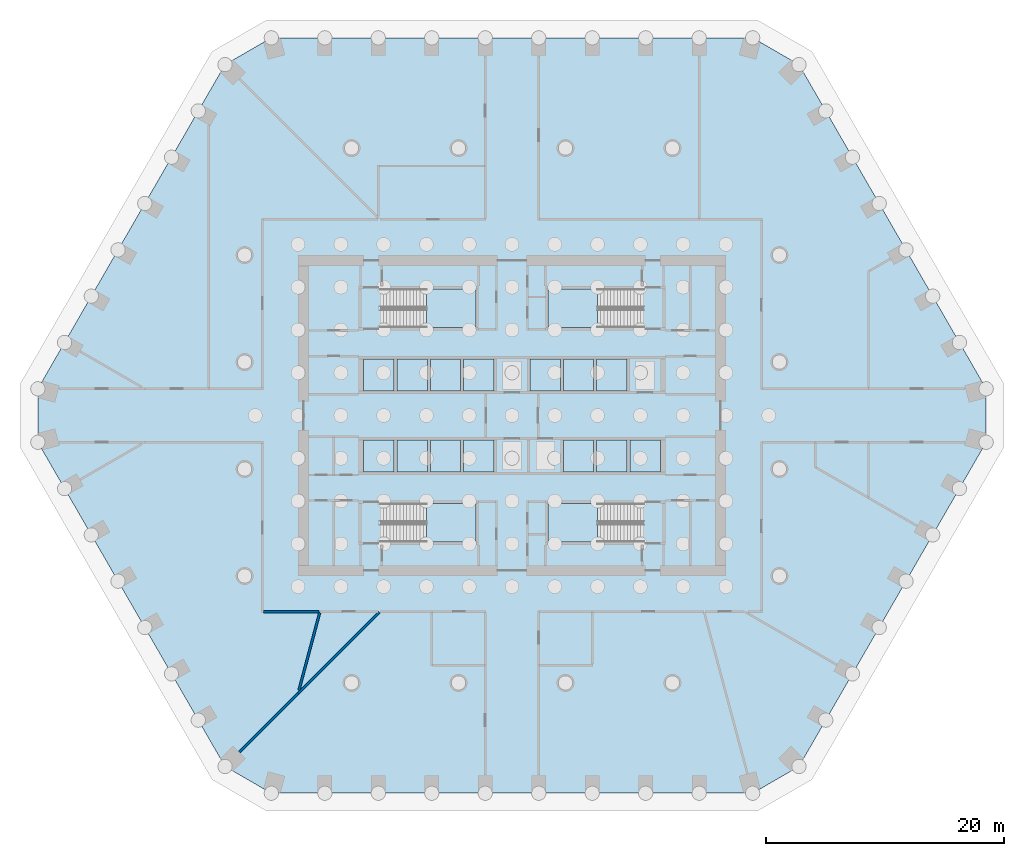
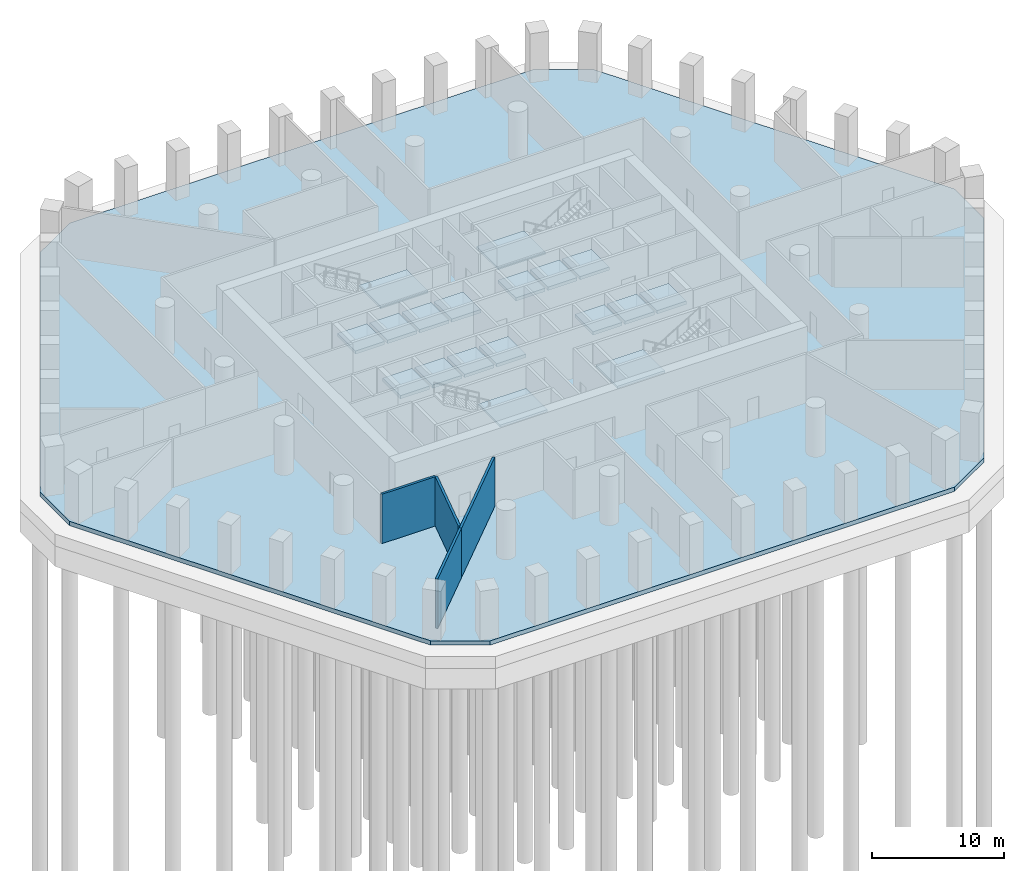
# One storey, part 2 of 9: 19 slabs, 4 walls, 4 elements without a shape of their own.
"""IFC4 building model written with IfcOpenShell, lengths in metres."""

import ifcopenshell
import ifcopenshell.guid

model = None  # the IFC model being written
_history = None  # IfcOwnerHistory: only IFC2X3 demands one
_inside = {}  # id of a spatial element -> (the spatial element, [elements in it])
_under = {}  # id of a project, library or spatial element -> (it, [spatial elements below it])
_declared = {}  # id of a project -> (the project, [libraries it declares])
_typed = {}  # id of a type object -> (the type object, [elements of that type])
_made_of = {}  # id of a material, layer set ... -> (it, [elements and type objects made of it])


def new_model(schema):
    """Start an empty IFC model of exactly this schema.

    Asked for "IFC4X3", IfcOpenShell would pick the latest addendum, in which some entities
    have other attributes; the version numbers below select the first issue.
    IFC2X3 requires an IfcOwnerHistory on every rooted entity: one is made here for all.
    """
    global model, _history
    if schema == "IFC4X3":
        model = ifcopenshell.file(schema_version=(4, 3, 0, 0))
    else:
        model = ifcopenshell.file(schema=schema)
    _inside.clear()
    _under.clear()
    _declared.clear()
    _typed.clear()
    _made_of.clear()
    _history = None
    if model.schema == "IFC2X3":
        org = make("IfcOrganization", Name="unknown")
        user = make(
            "IfcPersonAndOrganization",
            ThePerson=make("IfcPerson", FamilyName="unknown"),
            TheOrganization=org,
        )
        app = make(
            "IfcApplication",
            ApplicationDeveloper=org,
            Version="unknown",
            ApplicationFullName="unknown",
            ApplicationIdentifier="unknown",
        )
        _history = make(
            "IfcOwnerHistory",
            OwningUser=user,
            OwningApplication=app,
            ChangeAction="ADDED",
            CreationDate=0,
        )
    return model


def make(cls, **values):
    """One entity of the class cls with the attributes given. An attribute that is None is left unset."""
    return model.create_entity(
        cls, **{name: value for name, value in values.items() if value is not None}
    )


def rooted(cls, **values):
    """An entity with a GlobalId (a new one), such as an element, a storey or a relation."""
    return make(cls, GlobalId=ifcopenshell.guid.new(), OwnerHistory=_history, **values)


def si_unit(unit_type, name, prefix=None):
    """IfcSIUnit, for example si_unit("LENGTHUNIT", "METRE", prefix="MILLI")."""
    return make("IfcSIUnit", UnitType=unit_type, Prefix=prefix, Name=name)


def assignment(units):
    """IfcUnitAssignment: the units of a project."""
    return None if units is None else make("IfcUnitAssignment", Units=units)


def point(xyz):
    """IfcCartesianPoint."""
    return None if xyz is None else make("IfcCartesianPoint", Coordinates=xyz)


def direction(xyz):
    """IfcDirection."""
    return None if xyz is None else make("IfcDirection", DirectionRatios=xyz)


def frame(location, z_axis=None, x_axis=None):
    """IfcAxis2Placement3D, a coordinate frame: its origin and axes. An axis left out is left unset."""
    return make(
        "IfcAxis2Placement3D",
        Location=point(location),
        Axis=direction(z_axis),
        RefDirection=direction(x_axis),
    )


def frame_2d(location, x_axis=None):
    """IfcAxis2Placement2D, a coordinate frame in the plane: its origin and x axis."""
    return make(
        "IfcAxis2Placement2D", Location=point(location), RefDirection=direction(x_axis)
    )


def origin():
    """The frame at (0, 0, 0) with its axes left unset."""
    return frame((0.0, 0.0, 0.0))


def place(relative_to, where):
    """IfcLocalPlacement: puts the frame where relative to a parent placement (None: the world)."""
    return make(
        "IfcLocalPlacement", PlacementRelTo=relative_to, RelativePlacement=where
    )


def context(
    kind, dimensions, precision=None, world=None, true_north=None, identifier=None
):
    """IfcGeometricRepresentationContext, for example the 3D "Model" context."""
    return make(
        "IfcGeometricRepresentationContext",
        ContextIdentifier=identifier,
        ContextType=kind,
        CoordinateSpaceDimension=dimensions,
        Precision=precision,
        WorldCoordinateSystem=world,
        TrueNorth=true_north,
    )


def subcontext(parent, identifier, kind, view, scale=None):
    """IfcGeometricRepresentationSubContext, for example "Body" below "Model"."""
    return make(
        "IfcGeometricRepresentationSubContext",
        ContextIdentifier=identifier,
        ContextType=kind,
        ParentContext=parent,
        TargetScale=scale,
        TargetView=view,
    )


def project(units=None, contexts=None):
    """IfcProject with its units and contexts."""
    return rooted(
        "IfcProject",
        Name="project",
        RepresentationContexts=contexts,
        UnitsInContext=assignment(units),
    )


def spatial(cls, under=None, at=None, **own):
    """A site, building, storey or space (cls), placed at a placement, below another one or the project."""
    s = rooted(cls, ObjectPlacement=at, **own)
    if under is not None:
        _under.setdefault(under.id(), (under, []))[1].append(s)
    return s


def polyline(points):
    """IfcPolyline through the points."""
    return make("IfcPolyline", Points=[point(p) for p in points])


def profile(cls, at=None, kind="AREA", **sizes):
    """A parametric profile (cls). Its sizes go by their IFC names, for example OverallWidth=200.0."""
    return make(cls, ProfileType=kind, Position=at, **sizes)


def rectangle(**sizes):
    """IfcRectangleProfileDef."""
    return profile("IfcRectangleProfileDef", **sizes)


def outline(outer, holes=None, kind="AREA"):
    """IfcArbitraryClosedProfileDef: a profile drawn as a closed curve; with holes, ...WithVoids."""
    if holes is None:
        return make("IfcArbitraryClosedProfileDef", ProfileType=kind, OuterCurve=outer)
    return make(
        "IfcArbitraryProfileDefWithVoids",
        ProfileType=kind,
        OuterCurve=outer,
        InnerCurves=holes,
    )


def extrude(swept, where, along, depth):
    """IfcExtrudedAreaSolid: the profile swept, set in the frame where, extruded along a direction by depth."""
    return make(
        "IfcExtrudedAreaSolid",
        SweptArea=swept,
        Position=where,
        ExtrudedDirection=direction(along),
        Depth=depth,
    )


def shape(context_of_items, identifier, shape_type, items):
    """IfcShapeRepresentation: the items that make up one representation, for example the "Body"."""
    return make(
        "IfcShapeRepresentation",
        ContextOfItems=context_of_items,
        RepresentationIdentifier=identifier,
        RepresentationType=shape_type,
        Items=items,
    )


def material(Name=None, Category=None):
    """IfcMaterial."""
    return make("IfcMaterial", Name=Name, Category=Category)


def layer(
    of_material, thickness, ventilated=None, Name=None, Category=None, Priority=None
):
    """IfcMaterialLayer: one layer of a wall or slab, of a material (None: an air gap)."""
    return make(
        "IfcMaterialLayer",
        Material=of_material,
        LayerThickness=thickness,
        IsVentilated=ventilated,
        Name=Name,
        Category=Category,
        Priority=Priority,
    )


def layer_set(layers, Name=None):
    """IfcMaterialLayerSet."""
    return make("IfcMaterialLayerSet", MaterialLayers=layers, LayerSetName=Name)


def made_of(thing, what):
    """Note that an element or type object is made of a material, layer set ...; save() writes the relation."""
    if what is not None:
        _made_of.setdefault(what.id(), (what, []))[1].append(thing)
    return thing


def type_object(cls, material=None, **own):
    """A type object (cls), such as IfcWallType, which elements share."""
    return made_of(rooted(cls, **own), material)


def element(
    cls,
    number,
    at=None,
    inside=None,
    cuts=None,
    type_object=None,
    material=None,
    context=None,
    identifier="Body",
    shape_type=None,
    held_by="IfcProductDefinitionShape",
    body=None,
    shapes=None,
    **own,
):
    """One element of the class cls, such as IfcWall. Its Tag is "e" and its number.

    at: its placement. inside: the storey or other place that contains it. cuts: it is an
    opening in that element (IfcRelVoidsElement). A single representation is given by context,
    identifier, shape_type and body (its items); several are given by shapes. held_by: the class
    of the entity that holds the representations. save() writes the other relations.
    """
    e = rooted(cls, Tag="e%d" % number, ObjectPlacement=at, **own)
    if body is not None:
        shapes = [shape(context, identifier, shape_type, body)]
    if shapes is not None:
        e.Representation = make(held_by, Representations=shapes)
    if inside is not None:
        _inside.setdefault(inside.id(), (inside, []))[1].append(e)
    if cuts is not None:
        rooted(
            "IfcRelVoidsElement", RelatingBuildingElement=cuts, RelatedOpeningElement=e
        )
    if type_object is not None:
        _typed.setdefault(type_object.id(), (type_object, []))[1].append(e)
    return made_of(e, material)


def aggregate(whole, parts):
    """IfcRelAggregates: a whole, such as a stair, and the parts it consists of."""
    return rooted("IfcRelAggregates", RelatingObject=whole, RelatedObjects=parts)


def save(model, path):
    """Write the relations noted so far, then the file.

    IfcRelAggregates (storeys below a building ...), IfcRelContainedInSpatialStructure (elements
    in a storey), IfcRelDefinesByType, IfcRelAssociatesMaterial and IfcRelDeclares: one each for
    every whole, place, type object, material and project.
    """
    for whole, parts in _under.values():
        aggregate(whole, parts)
    for where, things in _inside.values():
        rooted(
            "IfcRelContainedInSpatialStructure",
            RelatedElements=things,
            RelatingStructure=where,
        )
    for kind, things in _typed.values():
        rooted("IfcRelDefinesByType", RelatedObjects=things, RelatingType=kind)
    for what, things in _made_of.values():
        rooted("IfcRelAssociatesMaterial", RelatedObjects=things, RelatingMaterial=what)
    for by, libraries in _declared.values():
        rooted("IfcRelDeclares", RelatingContext=by, RelatedDefinitions=libraries)
    model.write(path)


model = new_model("IFC4")

# Units and contexts
model_context = context("Model", 3, precision=1e-05, world=origin(), true_north=direction((0.0, 1.0)))
body_context = subcontext(model_context, "Body", "Model", "MODEL_VIEW")
ifc_project = project(units=[si_unit("LENGTHUNIT", "METRE"), si_unit("AREAUNIT", "SQUARE_METRE"), si_unit("VOLUMEUNIT", "CUBIC_METRE"), si_unit("PLANEANGLEUNIT", "RADIAN"), si_unit("MASSUNIT", "GRAM", prefix="KILO")], contexts=[model_context])

# Site, building, storey
site_placement = place(None, origin())
site = spatial("IfcSite", under=ifc_project, at=site_placement, CompositionType="ELEMENT")
building_placement = place(site_placement, origin())
building = spatial("IfcBuilding", under=site, at=building_placement, Name="Dhurran Vertical Campus", CompositionType="ELEMENT")
storey_placement = place(building_placement, frame((0.0, 0.0, -5.0)))
storey = spatial("IfcBuildingStorey", under=building, at=storey_placement, Name="B1", CompositionType="ELEMENT", Elevation=-5.0)

# Slabs
ifc_material_1 = material(Name="Concrete C40/50", Category="concrete")
ifc_layer_1 = layer(ifc_material_1, 0.39990234375)
ifc_layer_set_1 = layer_set([ifc_layer_1], Name="Concrete C40/50")
slab_type_1 = type_object("IfcSlabType", Name="FR BASE SLAB 400", PredefinedType="BASESLAB", material=ifc_layer_set_1)
slab_1_placement = place(storey_placement, frame((0.0, 0.0, -0.39990234375)))
element("IfcSlab", 1, at=slab_1_placement, inside=storey, type_object=slab_type_1, Name="Basement base slab", PredefinedType="BASESLAB", context=body_context, shape_type="SweptSolid", body=[
    extrude(outline(polyline([(-20.25, -31.77978515625), (20.25, -31.77978515625), (24.147216796875, -29.52978515625), (39.897216796875, -2.25), (39.897216796875, 2.25), (24.147216796875, 29.52978515625), (20.25, 31.77978515625), (-20.25, 31.77978515625), (-24.147216796875, 29.52978515625), (-39.897216796875, 2.25), (-39.897216796875, -2.25), (-24.147216796875, -29.52978515625), (-20.25, -31.77978515625)])), origin(), (0.0, 0.0, 1.0), 0.39990234375),
])
ifc_material_2 = material(Name="Concrete C40/50", Category="concrete")
ifc_layer_2 = layer(ifc_material_2, 0.300048828125)
ifc_layer_set_2 = layer_set([ifc_layer_2], Name="Concrete C40/50")
slab_type_2 = type_object("IfcSlabType", Name="co-PIT-SLAB-300", PredefinedType="FLOOR", material=ifc_layer_set_2)
slab_2_placement = place(storey_placement, frame((0.0, 0.0, 3.199951171875)))
element("IfcSlab", 2, at=slab_2_placement, inside=storey, type_object=slab_type_2, Name="Lift pit slab SA1", PredefinedType="FLOOR", context=body_context, shape_type="SweptSolid", body=[
    extrude(outline(polyline([(-12.47509765625, 2.050048828125), (-9.925048828125, 2.050048828125), (-9.925048828125, 4.75), (-12.47509765625, 4.75), (-12.47509765625, 2.050048828125)])), origin(), (0.0, 0.0, 1.0), 0.300048828125),
])
slab_3_placement = place(storey_placement, frame((0.0, 0.0, 3.199951171875)))
element("IfcSlab", 3, at=slab_3_placement, inside=storey, type_object=slab_type_2, Name="Lift pit slab SA2", PredefinedType="FLOOR", context=body_context, shape_type="SweptSolid", body=[
    extrude(outline(polyline([(-9.675048828125, 2.050048828125), (-7.125, 2.050048828125), (-7.125, 4.75), (-9.675048828125, 4.75), (-9.675048828125, 2.050048828125)])), origin(), (0.0, 0.0, 1.0), 0.300048828125),
])
slab_4_placement = place(storey_placement, frame((0.0, 0.0, 3.199951171875)))
element("IfcSlab", 4, at=slab_4_placement, inside=storey, type_object=slab_type_2, Name="Lift pit slab SA3", PredefinedType="FLOOR", context=body_context, shape_type="SweptSolid", body=[
    extrude(outline(polyline([(-6.875, 2.050048828125), (-4.324951171875, 2.050048828125), (-4.324951171875, 4.75), (-6.875, 4.75), (-6.875, 2.050048828125)])), origin(), (0.0, 0.0, 1.0), 0.300048828125),
])
slab_5_placement = place(storey_placement, frame((0.0, 0.0, 3.199951171875)))
element("IfcSlab", 5, at=slab_5_placement, inside=storey, type_object=slab_type_2, Name="Lift pit slab SB1", PredefinedType="FLOOR", context=body_context, shape_type="SweptSolid", body=[
    extrude(outline(polyline([(4.324951171875, -4.75), (6.875, -4.75), (6.875, -2.050048828125), (4.324951171875, -2.050048828125), (4.324951171875, -4.75)])), origin(), (0.0, 0.0, 1.0), 0.300048828125),
])
slab_6_placement = place(storey_placement, frame((0.0, 0.0, 3.199951171875)))
element("IfcSlab", 6, at=slab_6_placement, inside=storey, type_object=slab_type_2, Name="Lift pit slab SB2", PredefinedType="FLOOR", context=body_context, shape_type="SweptSolid", body=[
    extrude(outline(polyline([(7.125, -4.75), (9.675048828125, -4.75), (9.675048828125, -2.050048828125), (7.125, -2.050048828125), (7.125, -4.75)])), origin(), (0.0, 0.0, 1.0), 0.300048828125),
])
slab_7_placement = place(storey_placement, frame((0.0, 0.0, 3.199951171875)))
element("IfcSlab", 7, at=slab_7_placement, inside=storey, type_object=slab_type_2, Name="Lift pit slab SB3", PredefinedType="FLOOR", context=body_context, shape_type="SweptSolid", body=[
    extrude(outline(polyline([(9.925048828125, -4.75), (12.47509765625, -4.75), (12.47509765625, -2.050048828125), (9.925048828125, -2.050048828125), (9.925048828125, -4.75)])), origin(), (0.0, 0.0, 1.0), 0.300048828125),
])
slab_8_placement = place(storey_placement, frame((0.0, 0.0, 3.199951171875)))
element("IfcSlab", 8, at=slab_8_placement, inside=storey, type_object=slab_type_2, Name="Lift pit slab LR1", PredefinedType="FLOOR", context=body_context, shape_type="SweptSolid", body=[
    extrude(outline(polyline([(-4.074951171875, 2.050048828125), (-1.52490234375, 2.050048828125), (-1.52490234375, 4.75), (-4.074951171875, 4.75), (-4.074951171875, 2.050048828125)])), origin(), (0.0, 0.0, 1.0), 0.300048828125),
])
slab_9_placement = place(storey_placement, frame((0.0, 0.0, 3.199951171875)))
element("IfcSlab", 9, at=slab_9_placement, inside=storey, type_object=slab_type_2, Name="Lift pit slab LR2", PredefinedType="FLOOR", context=body_context, shape_type="SweptSolid", body=[
    extrude(outline(polyline([(1.52490234375, 2.050048828125), (4.074951171875, 2.050048828125), (4.074951171875, 4.75), (1.52490234375, 4.75), (1.52490234375, 2.050048828125)])), origin(), (0.0, 0.0, 1.0), 0.300048828125),
])
slab_10_placement = place(storey_placement, frame((0.0, 0.0, 3.199951171875)))
element("IfcSlab", 10, at=slab_10_placement, inside=storey, type_object=slab_type_2, Name="Lift pit slab LR3", PredefinedType="FLOOR", context=body_context, shape_type="SweptSolid", body=[
    extrude(outline(polyline([(4.324951171875, 2.050048828125), (6.875, 2.050048828125), (6.875, 4.75), (4.324951171875, 4.75), (4.324951171875, 2.050048828125)])), origin(), (0.0, 0.0, 1.0), 0.300048828125),
])
slab_11_placement = place(storey_placement, frame((0.0, 0.0, 3.199951171875)))
element("IfcSlab", 11, at=slab_11_placement, inside=storey, type_object=slab_type_2, Name="Lift pit slab LR4", PredefinedType="FLOOR", context=body_context, shape_type="SweptSolid", body=[
    extrude(outline(polyline([(7.125, 2.050048828125), (9.675048828125, 2.050048828125), (9.675048828125, 4.75), (7.125, 4.75), (7.125, 2.050048828125)])), origin(), (0.0, 0.0, 1.0), 0.300048828125),
])
slab_12_placement = place(storey_placement, frame((0.0, 0.0, 3.199951171875)))
element("IfcSlab", 12, at=slab_12_placement, inside=storey, type_object=slab_type_2, Name="Lift pit slab LR5", PredefinedType="FLOOR", context=body_context, shape_type="SweptSolid", body=[
    extrude(outline(polyline([(-12.47509765625, -4.75), (-9.925048828125, -4.75), (-9.925048828125, -2.050048828125), (-12.47509765625, -2.050048828125), (-12.47509765625, -4.75)])), origin(), (0.0, 0.0, 1.0), 0.300048828125),
])
slab_13_placement = place(storey_placement, frame((0.0, 0.0, 3.199951171875)))
element("IfcSlab", 13, at=slab_13_placement, inside=storey, type_object=slab_type_2, Name="Lift pit slab LR6", PredefinedType="FLOOR", context=body_context, shape_type="SweptSolid", body=[
    extrude(outline(polyline([(-9.675048828125, -4.75), (-7.125, -4.75), (-7.125, -2.050048828125), (-9.675048828125, -2.050048828125), (-9.675048828125, -4.75)])), origin(), (0.0, 0.0, 1.0), 0.300048828125),
])
slab_14_placement = place(storey_placement, frame((0.0, 0.0, 3.199951171875)))
element("IfcSlab", 14, at=slab_14_placement, inside=storey, type_object=slab_type_2, Name="Lift pit slab LR7", PredefinedType="FLOOR", context=body_context, shape_type="SweptSolid", body=[
    extrude(outline(polyline([(-6.875, -4.75), (-4.324951171875, -4.75), (-4.324951171875, -2.050048828125), (-6.875, -2.050048828125), (-6.875, -4.75)])), origin(), (0.0, 0.0, 1.0), 0.300048828125),
])
slab_15_placement = place(storey_placement, frame((0.0, 0.0, 3.199951171875)))
element("IfcSlab", 15, at=slab_15_placement, inside=storey, type_object=slab_type_2, Name="Lift pit slab LR8", PredefinedType="FLOOR", context=body_context, shape_type="SweptSolid", body=[
    extrude(outline(polyline([(-4.074951171875, -4.75), (-1.52490234375, -4.75), (-1.52490234375, -2.050048828125), (-4.074951171875, -2.050048828125), (-4.074951171875, -4.75)])), origin(), (0.0, 0.0, 1.0), 0.300048828125),
])

# Stair, slab
ifc_material_3 = material(Name="Concrete C40/50", Category="concrete")
stair_type = type_object("IfcStairType", Name="co-ST-CORE", PredefinedType="HALF_TURN_STAIR", material=ifc_material_3)
stair_1_placement = place(storey_placement, origin())
stair_1 = element("IfcStair", 16, at=stair_1_placement, inside=storey, type_object=stair_type, Name="B1 Protected exit stair ST1", PredefinedType="HALF_TURN_STAIR")
ifc_material_4 = material(Name="Concrete C40/50", Category="concrete")
ifc_layer_3 = layer(ifc_material_4, 0.199951171875)
ifc_layer_set_3 = layer_set([ifc_layer_3], Name="Concrete C40/50")
slab_type_3 = type_object("IfcSlabType", Name="co-SL-LANDING", PredefinedType="LANDING", material=ifc_layer_set_3)
slab_16_placement = place(storey_placement, frame((0.0, 0.0, 2.300048828125)))
slab_16 = element("IfcSlab", 17, at=slab_16_placement, type_object=slab_type_3, Name="ST1 landing 1", PredefinedType="LANDING", context=body_context, shape_type="SweptSolid", body=[
    extrude(outline(polyline([(-7.179931640625, 7.39990234375), (-3.050048828125, 7.39990234375), (-3.050048828125, 10.64990234375), (-7.179931640625, 10.64990234375), (-7.179931640625, 7.39990234375)])), origin(), (0.0, 0.0, 1.0), 0.199951171875),
])
aggregate(stair_1, [slab_16])

stair_2_placement = place(storey_placement, origin())
stair_2 = element("IfcStair", 18, at=stair_2_placement, inside=storey, type_object=stair_type, Name="B1 Protected exit stair ST2", PredefinedType="HALF_TURN_STAIR")
slab_17_placement = place(storey_placement, frame((0.0, 0.0, 2.300048828125)))
slab_17 = element("IfcSlab", 19, at=slab_17_placement, type_object=slab_type_3, Name="ST2 landing 1", PredefinedType="LANDING", context=body_context, shape_type="SweptSolid", body=[
    extrude(outline(polyline([(7.179931640625, 10.64990234375), (3.050048828125, 10.64990234375), (3.050048828125, 7.39990234375), (7.179931640625, 7.39990234375), (7.179931640625, 10.64990234375)])), origin(), (0.0, 0.0, 1.0), 0.199951171875),
])
aggregate(stair_2, [slab_17])

stair_3_placement = place(storey_placement, origin())
stair_3 = element("IfcStair", 20, at=stair_3_placement, inside=storey, type_object=stair_type, Name="B1 Protected exit stair ST3", PredefinedType="HALF_TURN_STAIR")
slab_18_placement = place(storey_placement, frame((0.0, 0.0, 2.300048828125)))
slab_18 = element("IfcSlab", 21, at=slab_18_placement, type_object=slab_type_3, Name="ST3 landing 1", PredefinedType="LANDING", context=body_context, shape_type="SweptSolid", body=[
    extrude(outline(polyline([(-7.179931640625, -10.64990234375), (-3.050048828125, -10.64990234375), (-3.050048828125, -7.39990234375), (-7.179931640625, -7.39990234375), (-7.179931640625, -10.64990234375)])), origin(), (0.0, 0.0, 1.0), 0.199951171875),
])
aggregate(stair_3, [slab_18])

stair_4_placement = place(storey_placement, origin())
stair_4 = element("IfcStair", 22, at=stair_4_placement, inside=storey, type_object=stair_type, Name="B1 Protected exit stair ST4", PredefinedType="HALF_TURN_STAIR")
slab_19_placement = place(storey_placement, frame((0.0, 0.0, 2.300048828125)))
slab_19 = element("IfcSlab", 23, at=slab_19_placement, type_object=slab_type_3, Name="ST4 landing 1", PredefinedType="LANDING", context=body_context, shape_type="SweptSolid", body=[
    extrude(outline(polyline([(7.179931640625, -7.39990234375), (3.050048828125, -7.39990234375), (3.050048828125, -10.64990234375), (7.179931640625, -10.64990234375), (7.179931640625, -7.39990234375)])), origin(), (0.0, 0.0, 1.0), 0.199951171875),
])
aggregate(stair_4, [slab_19])

# Walls
ifc_material_5 = material(Name="Concrete blockwork plant room wall, fire-rated", Category="masonry")
ifc_layer_4 = layer(ifc_material_5, 0.199951171875)
ifc_layer_set_4 = layer_set([ifc_layer_4], Name="Concrete blockwork plant room wall, fire-rated")
wall_type = type_object("IfcWallType", Name="bs-PW-200 plant room wall", PredefinedType="PARTITIONING", material=ifc_layer_set_4)
wall_1_placement = place(storey_placement, frame((-18.0, -23.383056640625, 0.0), z_axis=(0.0, 0.0, 1.0), x_axis=(-0.707124289247, -0.707089272693, 0.0)))
element("IfcWall", 24, at=wall_1_placement, inside=storey, type_object=wall_type, Name="Plant wall B1-09", PredefinedType="PARTITIONING", context=body_context, shape_type="SweptSolid", body=[
    extrude(rectangle(XDim=6.97216796875, YDim=0.199951171875, at=frame_2d((3.486083984375, 0.0))), origin(), (0.0, 0.0, 1.0), 4.550048828125),
])
wall_2_placement = place(storey_placement, frame((-20.925048828125, -16.5, 0.0), z_axis=(0.0, 0.0, 1.0), x_axis=(1.0, 0.0, 0.0)))
element("IfcWall", 25, at=wall_2_placement, inside=storey, type_object=wall_type, Name="Plant wall B1-12", PredefinedType="PARTITIONING", context=body_context, shape_type="SweptSolid", body=[
    extrude(rectangle(XDim=4.674072265625, YDim=0.199951171875, at=frame_2d((2.3369140625, 0.0))), origin(), (0.0, 0.0, 1.0), 4.550048828125),
])
wall_3_placement = place(storey_placement, frame((-16.17529296875, -16.572509765625, 0.0), z_axis=(0.0, 0.0, 1.0), x_axis=(-0.25877931008, -0.96593647238, 0.0)))
element("IfcWall", 26, at=wall_3_placement, inside=storey, type_object=wall_type, Name="Plant wall B1-15", PredefinedType="PARTITIONING", context=body_context, shape_type="SweptSolid", body=[
    extrude(rectangle(XDim=6.775634765625, YDim=0.199951171875, at=frame_2d((3.3876953125, 0.0))), origin(), (0.0, 0.0, 1.0), 4.550048828125),
])
wall_4_placement = place(storey_placement, frame((-11.169921875, -16.552978515625, 0.0), z_axis=(0.0, 0.0, 1.0), x_axis=(-0.707106781187, -0.707106781187, 0.0)))
element("IfcWall", 27, at=wall_4_placement, inside=storey, type_object=wall_type, Name="Plant wall B1-16", PredefinedType="PARTITIONING", context=body_context, shape_type="SweptSolid", body=[
    extrude(rectangle(XDim=9.6591796875, YDim=0.199951171875, at=frame_2d((4.82958984375, 0.0))), origin(), (0.0, 0.0, 1.0), 4.550048828125),
])

save(model, "model.ifc")
